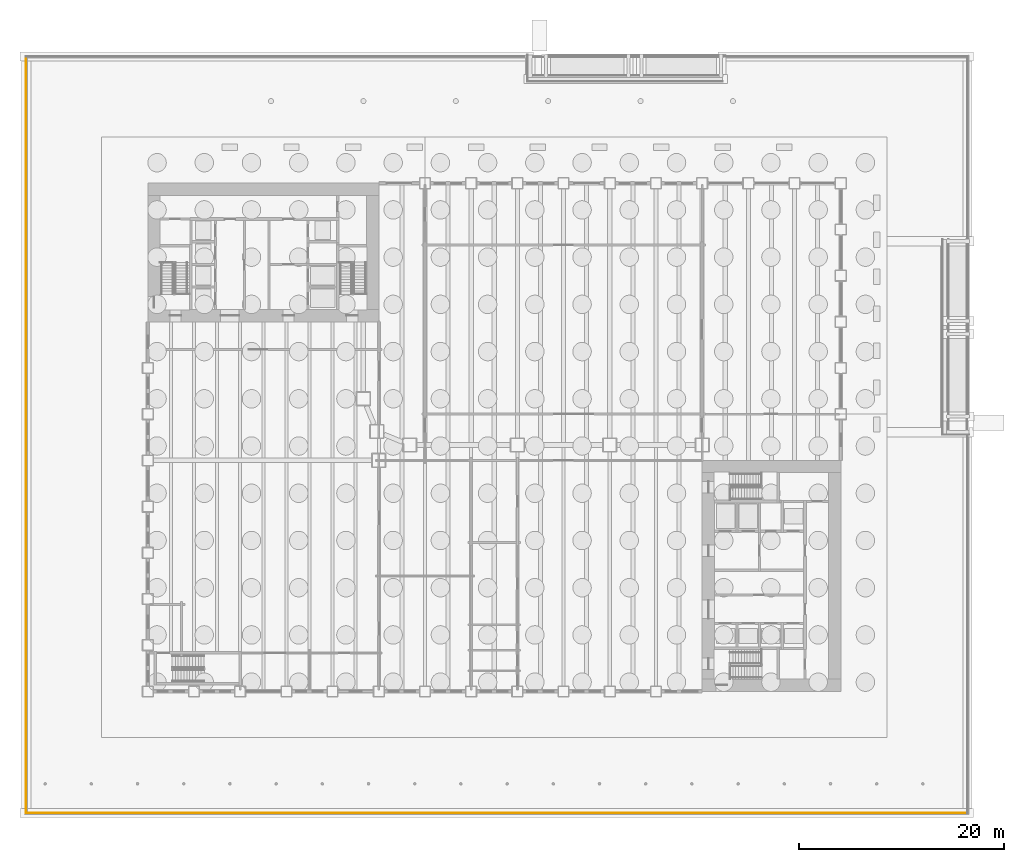
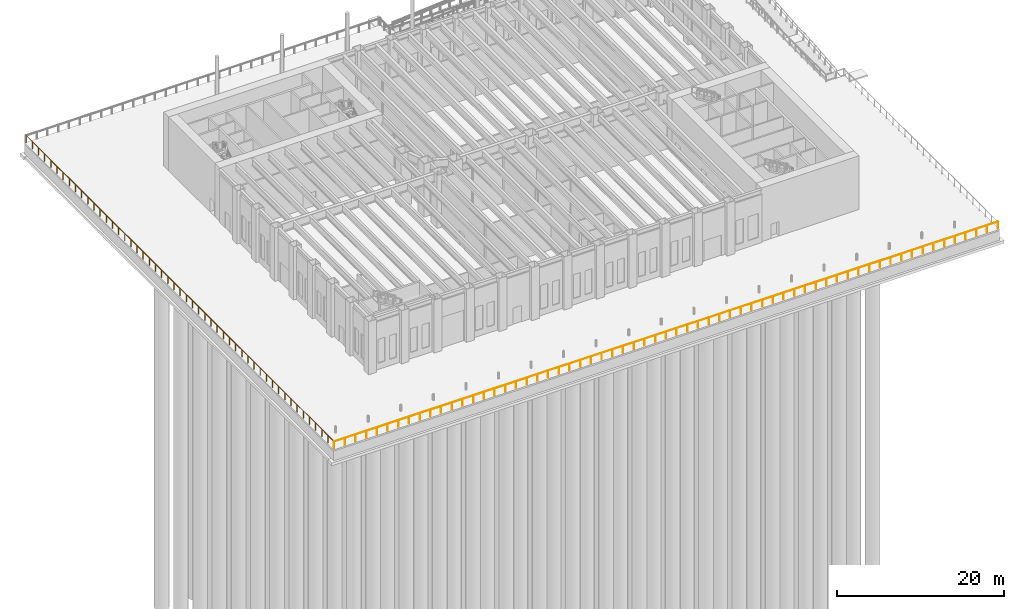
# One storey, part 18 of 26: 2 railings.
"""IFC4 building model written with IfcOpenShell, lengths in metres."""

import ifcopenshell
import ifcopenshell.guid

model = None  # the IFC model being written
_history = None  # IfcOwnerHistory: only IFC2X3 demands one
_inside = {}  # id of a spatial element -> (the spatial element, [elements in it])
_under = {}  # id of a project, library or spatial element -> (it, [spatial elements below it])
_declared = {}  # id of a project -> (the project, [libraries it declares])
_typed = {}  # id of a type object -> (the type object, [elements of that type])
_made_of = {}  # id of a material, layer set ... -> (it, [elements and type objects made of it])


def new_model(schema):
    """Start an empty IFC model of exactly this schema.

    Asked for "IFC4X3", IfcOpenShell would pick the latest addendum, in which some entities
    have other attributes; the version numbers below select the first issue.
    IFC2X3 requires an IfcOwnerHistory on every rooted entity: one is made here for all.
    """
    global model, _history
    if schema == "IFC4X3":
        model = ifcopenshell.file(schema_version=(4, 3, 0, 0))
    else:
        model = ifcopenshell.file(schema=schema)
    _inside.clear()
    _under.clear()
    _declared.clear()
    _typed.clear()
    _made_of.clear()
    _history = None
    if model.schema == "IFC2X3":
        org = make("IfcOrganization", Name="unknown")
        user = make(
            "IfcPersonAndOrganization",
            ThePerson=make("IfcPerson", FamilyName="unknown"),
            TheOrganization=org,
        )
        app = make(
            "IfcApplication",
            ApplicationDeveloper=org,
            Version="unknown",
            ApplicationFullName="unknown",
            ApplicationIdentifier="unknown",
        )
        _history = make(
            "IfcOwnerHistory",
            OwningUser=user,
            OwningApplication=app,
            ChangeAction="ADDED",
            CreationDate=0,
        )
    return model


def make(cls, **values):
    """One entity of the class cls with the attributes given. An attribute that is None is left unset."""
    return model.create_entity(
        cls, **{name: value for name, value in values.items() if value is not None}
    )


def rooted(cls, **values):
    """An entity with a GlobalId (a new one), such as an element, a storey or a relation."""
    return make(cls, GlobalId=ifcopenshell.guid.new(), OwnerHistory=_history, **values)


def si_unit(unit_type, name, prefix=None):
    """IfcSIUnit, for example si_unit("LENGTHUNIT", "METRE", prefix="MILLI")."""
    return make("IfcSIUnit", UnitType=unit_type, Prefix=prefix, Name=name)


def assignment(units):
    """IfcUnitAssignment: the units of a project."""
    return None if units is None else make("IfcUnitAssignment", Units=units)


def point(xyz):
    """IfcCartesianPoint."""
    return None if xyz is None else make("IfcCartesianPoint", Coordinates=xyz)


def direction(xyz):
    """IfcDirection."""
    return None if xyz is None else make("IfcDirection", DirectionRatios=xyz)


def frame(location, z_axis=None, x_axis=None):
    """IfcAxis2Placement3D, a coordinate frame: its origin and axes. An axis left out is left unset."""
    return make(
        "IfcAxis2Placement3D",
        Location=point(location),
        Axis=direction(z_axis),
        RefDirection=direction(x_axis),
    )


def frame_2d(location, x_axis=None):
    """IfcAxis2Placement2D, a coordinate frame in the plane: its origin and x axis."""
    return make(
        "IfcAxis2Placement2D", Location=point(location), RefDirection=direction(x_axis)
    )


def origin():
    """The frame at (0, 0, 0) with its axes left unset."""
    return frame((0.0, 0.0, 0.0))


def origin_2d():
    """The frame at (0, 0) in the plane with its x axis left unset."""
    return frame_2d((0.0, 0.0))


def place(relative_to, where):
    """IfcLocalPlacement: puts the frame where relative to a parent placement (None: the world)."""
    return make(
        "IfcLocalPlacement", PlacementRelTo=relative_to, RelativePlacement=where
    )


def context(
    kind, dimensions, precision=None, world=None, true_north=None, identifier=None
):
    """IfcGeometricRepresentationContext, for example the 3D "Model" context."""
    return make(
        "IfcGeometricRepresentationContext",
        ContextIdentifier=identifier,
        ContextType=kind,
        CoordinateSpaceDimension=dimensions,
        Precision=precision,
        WorldCoordinateSystem=world,
        TrueNorth=true_north,
    )


def subcontext(parent, identifier, kind, view, scale=None):
    """IfcGeometricRepresentationSubContext, for example "Body" below "Model"."""
    return make(
        "IfcGeometricRepresentationSubContext",
        ContextIdentifier=identifier,
        ContextType=kind,
        ParentContext=parent,
        TargetScale=scale,
        TargetView=view,
    )


def project(units=None, contexts=None):
    """IfcProject with its units and contexts."""
    return rooted(
        "IfcProject",
        Name="project",
        RepresentationContexts=contexts,
        UnitsInContext=assignment(units),
    )


def spatial(cls, under=None, at=None, **own):
    """A site, building, storey or space (cls), placed at a placement, below another one or the project."""
    s = rooted(cls, ObjectPlacement=at, **own)
    if under is not None:
        _under.setdefault(under.id(), (under, []))[1].append(s)
    return s


def profile(cls, at=None, kind="AREA", **sizes):
    """A parametric profile (cls). Its sizes go by their IFC names, for example OverallWidth=200.0."""
    return make(cls, ProfileType=kind, Position=at, **sizes)


def rectangle(**sizes):
    """IfcRectangleProfileDef."""
    return profile("IfcRectangleProfileDef", **sizes)


def extrude(swept, where, along, depth):
    """IfcExtrudedAreaSolid: the profile swept, set in the frame where, extruded along a direction by depth."""
    return make(
        "IfcExtrudedAreaSolid",
        SweptArea=swept,
        Position=where,
        ExtrudedDirection=direction(along),
        Depth=depth,
    )


def shape(context_of_items, identifier, shape_type, items):
    """IfcShapeRepresentation: the items that make up one representation, for example the "Body"."""
    return make(
        "IfcShapeRepresentation",
        ContextOfItems=context_of_items,
        RepresentationIdentifier=identifier,
        RepresentationType=shape_type,
        Items=items,
    )


def material(Name=None, Category=None):
    """IfcMaterial."""
    return make("IfcMaterial", Name=Name, Category=Category)


def made_of(thing, what):
    """Note that an element or type object is made of a material, layer set ...; save() writes the relation."""
    if what is not None:
        _made_of.setdefault(what.id(), (what, []))[1].append(thing)
    return thing


def type_object(cls, material=None, **own):
    """A type object (cls), such as IfcWallType, which elements share."""
    return made_of(rooted(cls, **own), material)


def element(
    cls,
    number,
    at=None,
    inside=None,
    cuts=None,
    type_object=None,
    material=None,
    context=None,
    identifier="Body",
    shape_type=None,
    held_by="IfcProductDefinitionShape",
    body=None,
    shapes=None,
    **own,
):
    """One element of the class cls, such as IfcWall. Its Tag is "e" and its number.

    at: its placement. inside: the storey or other place that contains it. cuts: it is an
    opening in that element (IfcRelVoidsElement). A single representation is given by context,
    identifier, shape_type and body (its items); several are given by shapes. held_by: the class
    of the entity that holds the representations. save() writes the other relations.
    """
    e = rooted(cls, Tag="e%d" % number, ObjectPlacement=at, **own)
    if body is not None:
        shapes = [shape(context, identifier, shape_type, body)]
    if shapes is not None:
        e.Representation = make(held_by, Representations=shapes)
    if inside is not None:
        _inside.setdefault(inside.id(), (inside, []))[1].append(e)
    if cuts is not None:
        rooted(
            "IfcRelVoidsElement", RelatingBuildingElement=cuts, RelatedOpeningElement=e
        )
    if type_object is not None:
        _typed.setdefault(type_object.id(), (type_object, []))[1].append(e)
    return made_of(e, material)


def aggregate(whole, parts):
    """IfcRelAggregates: a whole, such as a stair, and the parts it consists of."""
    return rooted("IfcRelAggregates", RelatingObject=whole, RelatedObjects=parts)


def save(model, path):
    """Write the relations noted so far, then the file.

    IfcRelAggregates (storeys below a building ...), IfcRelContainedInSpatialStructure (elements
    in a storey), IfcRelDefinesByType, IfcRelAssociatesMaterial and IfcRelDeclares: one each for
    every whole, place, type object, material and project.
    """
    for whole, parts in _under.values():
        aggregate(whole, parts)
    for where, things in _inside.values():
        rooted(
            "IfcRelContainedInSpatialStructure",
            RelatedElements=things,
            RelatingStructure=where,
        )
    for kind, things in _typed.values():
        rooted("IfcRelDefinesByType", RelatedObjects=things, RelatingType=kind)
    for what, things in _made_of.values():
        rooted("IfcRelAssociatesMaterial", RelatedObjects=things, RelatingMaterial=what)
    for by, libraries in _declared.values():
        rooted("IfcRelDeclares", RelatingContext=by, RelatedDefinitions=libraries)
    model.write(path)


model = new_model("IFC4")

# Units and contexts
model_context = context("Model", 3, precision=1e-05, world=origin(), true_north=direction((0.0, 1.0)))
body_context = subcontext(model_context, "Body", "Model", "MODEL_VIEW")
ifc_project = project(units=[si_unit("LENGTHUNIT", "METRE"), si_unit("AREAUNIT", "SQUARE_METRE"), si_unit("VOLUMEUNIT", "CUBIC_METRE"), si_unit("PLANEANGLEUNIT", "RADIAN"), si_unit("MASSUNIT", "GRAM", prefix="KILO")], contexts=[model_context])

# Site, building, storey
site_placement = place(None, origin())
site = spatial("IfcSite", under=ifc_project, at=site_placement, CompositionType="ELEMENT")
building_placement = place(site_placement, origin())
building = spatial("IfcBuilding", under=site, at=building_placement, Name="Sennacour Bend Tower", CompositionType="ELEMENT")
storey_placement = place(building_placement, origin())
storey = spatial("IfcBuildingStorey", under=building, at=storey_placement, Name="L00", CompositionType="ELEMENT", Elevation=0.0)

# Railings
ifc_material = material(Name="Stainless steel 316", Category="steel")
railing_type = type_object("IfcRailingType", Name="PLAZA EDGE GUARD 1100", PredefinedType="GUARDRAIL", material=ifc_material)
railing_1_placement = place(storey_placement, frame((-11.85009765625, -11.85009765625, 0.0)))
element("IfcRailing", 1, at=railing_1_placement, inside=storey, type_object=railing_type, Name="Plaza edge guard south", PredefinedType="GUARDRAIL", context=body_context, shape_type="SweptSolid", body=[
    extrude(rectangle(XDim=0.048095703125, YDim=0.048095703125, at=origin_2d()), frame((0.0, 0.0, 1.076171875), z_axis=(1.0, 0.0, 0.0), x_axis=(0.0, 1.0, 0.0)), (0.0, 0.0, 1.0), 91.7001953125),
    extrude(rectangle(XDim=0.0419921875, YDim=0.0419921875, at=origin_2d()), origin(), (0.0, 0.0, 1.0), 1.052001953125),
    extrude(rectangle(XDim=0.0419921875, YDim=0.0419921875, at=origin_2d()), frame((1.47900390625, 0.0, 0.0)), (0.0, 0.0, 1.0), 1.052001953125),
    extrude(rectangle(XDim=0.0419921875, YDim=0.0419921875, at=origin_2d()), frame((2.9580078125, 0.0, 0.0)), (0.0, 0.0, 1.0), 1.052001953125),
    extrude(rectangle(XDim=0.0419921875, YDim=0.0419921875, at=origin_2d()), frame((4.43701171875, 0.0, 0.0)), (0.0, 0.0, 1.0), 1.052001953125),
    extrude(rectangle(XDim=0.0419921875, YDim=0.0419921875, at=origin_2d()), frame((5.916259765625, 0.0, 0.0)), (0.0, 0.0, 1.0), 1.052001953125),
    extrude(rectangle(XDim=0.0419921875, YDim=0.0419921875, at=origin_2d()), frame((7.395263671875, 0.0, 0.0)), (0.0, 0.0, 1.0), 1.052001953125),
    extrude(rectangle(XDim=0.0419921875, YDim=0.0419921875, at=origin_2d()), frame((8.874267578125, 0.0, 0.0)), (0.0, 0.0, 1.0), 1.052001953125),
    extrude(rectangle(XDim=0.0419921875, YDim=0.0419921875, at=origin_2d()), frame((10.353271484375, 0.0, 0.0)), (0.0, 0.0, 1.0), 1.052001953125),
    extrude(rectangle(XDim=0.0419921875, YDim=0.0419921875, at=origin_2d()), frame((11.832275390625, 0.0, 0.0)), (0.0, 0.0, 1.0), 1.052001953125),
    extrude(rectangle(XDim=0.0419921875, YDim=0.0419921875, at=origin_2d()), frame((13.311279296875, 0.0, 0.0)), (0.0, 0.0, 1.0), 1.052001953125),
    extrude(rectangle(XDim=0.0419921875, YDim=0.0419921875, at=origin_2d()), frame((14.790283203125, 0.0, 0.0)), (0.0, 0.0, 1.0), 1.052001953125),
    extrude(rectangle(XDim=0.0419921875, YDim=0.0419921875, at=origin_2d()), frame((16.269287109375, 0.0, 0.0)), (0.0, 0.0, 1.0), 1.052001953125),
    extrude(rectangle(XDim=0.0419921875, YDim=0.0419921875, at=origin_2d()), frame((17.74853515625, 0.0, 0.0)), (0.0, 0.0, 1.0), 1.052001953125),
    extrude(rectangle(XDim=0.0419921875, YDim=0.0419921875, at=origin_2d()), frame((19.2275390625, 0.0, 0.0)), (0.0, 0.0, 1.0), 1.052001953125),
    extrude(rectangle(XDim=0.0419921875, YDim=0.0419921875, at=origin_2d()), frame((20.70654296875, 0.0, 0.0)), (0.0, 0.0, 1.0), 1.052001953125),
    extrude(rectangle(XDim=0.0419921875, YDim=0.0419921875, at=origin_2d()), frame((22.185546875, 0.0, 0.0)), (0.0, 0.0, 1.0), 1.052001953125),
    extrude(rectangle(XDim=0.0419921875, YDim=0.0419921875, at=origin_2d()), frame((23.66455078125, 0.0, 0.0)), (0.0, 0.0, 1.0), 1.052001953125),
    extrude(rectangle(XDim=0.0419921875, YDim=0.0419921875, at=origin_2d()), frame((25.1435546875, 0.0, 0.0)), (0.0, 0.0, 1.0), 1.052001953125),
    extrude(rectangle(XDim=0.0419921875, YDim=0.0419921875, at=origin_2d()), frame((26.62255859375, 0.0, 0.0)), (0.0, 0.0, 1.0), 1.052001953125),
    extrude(rectangle(XDim=0.0419921875, YDim=0.0419921875, at=origin_2d()), frame((28.1015625, 0.0, 0.0)), (0.0, 0.0, 1.0), 1.052001953125),
    extrude(rectangle(XDim=0.0419921875, YDim=0.0419921875, at=origin_2d()), frame((29.580810546875, 0.0, 0.0)), (0.0, 0.0, 1.0), 1.052001953125),
    extrude(rectangle(XDim=0.0419921875, YDim=0.0419921875, at=origin_2d()), frame((31.059814453125, 0.0, 0.0)), (0.0, 0.0, 1.0), 1.052001953125),
    extrude(rectangle(XDim=0.0419921875, YDim=0.0419921875, at=origin_2d()), frame((32.538818359375, 0.0, 0.0)), (0.0, 0.0, 1.0), 1.052001953125),
    extrude(rectangle(XDim=0.0419921875, YDim=0.0419921875, at=origin_2d()), frame((34.017822265625, 0.0, 0.0)), (0.0, 0.0, 1.0), 1.052001953125),
    extrude(rectangle(XDim=0.0419921875, YDim=0.0419921875, at=origin_2d()), frame((35.496826171875, 0.0, 0.0)), (0.0, 0.0, 1.0), 1.052001953125),
    extrude(rectangle(XDim=0.0419921875, YDim=0.0419921875, at=origin_2d()), frame((36.975830078125, 0.0, 0.0)), (0.0, 0.0, 1.0), 1.052001953125),
    extrude(rectangle(XDim=0.0419921875, YDim=0.0419921875, at=origin_2d()), frame((38.454833984375, 0.0, 0.0)), (0.0, 0.0, 1.0), 1.052001953125),
    extrude(rectangle(XDim=0.0419921875, YDim=0.0419921875, at=origin_2d()), frame((39.933837890625, 0.0, 0.0)), (0.0, 0.0, 1.0), 1.052001953125),
    extrude(rectangle(XDim=0.0419921875, YDim=0.0419921875, at=origin_2d()), frame((41.4130859375, 0.0, 0.0)), (0.0, 0.0, 1.0), 1.052001953125),
    extrude(rectangle(XDim=0.0419921875, YDim=0.0419921875, at=origin_2d()), frame((42.89208984375, 0.0, 0.0)), (0.0, 0.0, 1.0), 1.052001953125),
    extrude(rectangle(XDim=0.0419921875, YDim=0.0419921875, at=origin_2d()), frame((44.37109375, 0.0, 0.0)), (0.0, 0.0, 1.0), 1.052001953125),
    extrude(rectangle(XDim=0.0419921875, YDim=0.0419921875, at=origin_2d()), frame((45.85009765625, 0.0, 0.0)), (0.0, 0.0, 1.0), 1.052001953125),
    extrude(rectangle(XDim=0.0419921875, YDim=0.0419921875, at=origin_2d()), frame((47.3291015625, 0.0, 0.0)), (0.0, 0.0, 1.0), 1.052001953125),
    extrude(rectangle(XDim=0.0419921875, YDim=0.0419921875, at=origin_2d()), frame((48.80810546875, 0.0, 0.0)), (0.0, 0.0, 1.0), 1.052001953125),
    extrude(rectangle(XDim=0.0419921875, YDim=0.0419921875, at=origin_2d()), frame((50.287109375, 0.0, 0.0)), (0.0, 0.0, 1.0), 1.052001953125),
    extrude(rectangle(XDim=0.0419921875, YDim=0.0419921875, at=origin_2d()), frame((51.766357421875, 0.0, 0.0)), (0.0, 0.0, 1.0), 1.052001953125),
    extrude(rectangle(XDim=0.0419921875, YDim=0.0419921875, at=origin_2d()), frame((53.245361328125, 0.0, 0.0)), (0.0, 0.0, 1.0), 1.052001953125),
    extrude(rectangle(XDim=0.0419921875, YDim=0.0419921875, at=origin_2d()), frame((54.724365234375, 0.0, 0.0)), (0.0, 0.0, 1.0), 1.052001953125),
    extrude(rectangle(XDim=0.0419921875, YDim=0.0419921875, at=origin_2d()), frame((56.203369140625, 0.0, 0.0)), (0.0, 0.0, 1.0), 1.052001953125),
    extrude(rectangle(XDim=0.0419921875, YDim=0.0419921875, at=origin_2d()), frame((57.682373046875, 0.0, 0.0)), (0.0, 0.0, 1.0), 1.052001953125),
    extrude(rectangle(XDim=0.0419921875, YDim=0.0419921875, at=origin_2d()), frame((59.161376953125, 0.0, 0.0)), (0.0, 0.0, 1.0), 1.052001953125),
    extrude(rectangle(XDim=0.0419921875, YDim=0.0419921875, at=origin_2d()), frame((60.640380859375, 0.0, 0.0)), (0.0, 0.0, 1.0), 1.052001953125),
    extrude(rectangle(XDim=0.0419921875, YDim=0.0419921875, at=origin_2d()), frame((62.119384765625, 0.0, 0.0)), (0.0, 0.0, 1.0), 1.052001953125),
    extrude(rectangle(XDim=0.0419921875, YDim=0.0419921875, at=origin_2d()), frame((63.5986328125, 0.0, 0.0)), (0.0, 0.0, 1.0), 1.052001953125),
    extrude(rectangle(XDim=0.0419921875, YDim=0.0419921875, at=origin_2d()), frame((65.07763671875, 0.0, 0.0)), (0.0, 0.0, 1.0), 1.052001953125),
    extrude(rectangle(XDim=0.0419921875, YDim=0.0419921875, at=origin_2d()), frame((66.556640625, 0.0, 0.0)), (0.0, 0.0, 1.0), 1.052001953125),
    extrude(rectangle(XDim=0.0419921875, YDim=0.0419921875, at=origin_2d()), frame((68.03564453125, 0.0, 0.0)), (0.0, 0.0, 1.0), 1.052001953125),
    extrude(rectangle(XDim=0.0419921875, YDim=0.0419921875, at=origin_2d()), frame((69.5146484375, 0.0, 0.0)), (0.0, 0.0, 1.0), 1.052001953125),
    extrude(rectangle(XDim=0.0419921875, YDim=0.0419921875, at=origin_2d()), frame((70.99365234375, 0.0, 0.0)), (0.0, 0.0, 1.0), 1.052001953125),
    extrude(rectangle(XDim=0.0419921875, YDim=0.0419921875, at=origin_2d()), frame((72.47265625, 0.0, 0.0)), (0.0, 0.0, 1.0), 1.052001953125),
    extrude(rectangle(XDim=0.0419921875, YDim=0.0419921875, at=origin_2d()), frame((73.95166015625, 0.0, 0.0)), (0.0, 0.0, 1.0), 1.052001953125),
    extrude(rectangle(XDim=0.0419921875, YDim=0.0419921875, at=origin_2d()), frame((75.430908203125, 0.0, 0.0)), (0.0, 0.0, 1.0), 1.052001953125),
    extrude(rectangle(XDim=0.0419921875, YDim=0.0419921875, at=origin_2d()), frame((76.909912109375, 0.0, 0.0)), (0.0, 0.0, 1.0), 1.052001953125),
    extrude(rectangle(XDim=0.0419921875, YDim=0.0419921875, at=origin_2d()), frame((78.388916015625, 0.0, 0.0)), (0.0, 0.0, 1.0), 1.052001953125),
    extrude(rectangle(XDim=0.0419921875, YDim=0.0419921875, at=origin_2d()), frame((79.867919921875, 0.0, 0.0)), (0.0, 0.0, 1.0), 1.052001953125),
    extrude(rectangle(XDim=0.0419921875, YDim=0.0419921875, at=origin_2d()), frame((81.346923828125, 0.0, 0.0)), (0.0, 0.0, 1.0), 1.052001953125),
    extrude(rectangle(XDim=0.0419921875, YDim=0.0419921875, at=origin_2d()), frame((82.825927734375, 0.0, 0.0)), (0.0, 0.0, 1.0), 1.052001953125),
    extrude(rectangle(XDim=0.0419921875, YDim=0.0419921875, at=origin_2d()), frame((84.304931640625, 0.0, 0.0)), (0.0, 0.0, 1.0), 1.052001953125),
    extrude(rectangle(XDim=0.0419921875, YDim=0.0419921875, at=origin_2d()), frame((85.783935546875, 0.0, 0.0)), (0.0, 0.0, 1.0), 1.052001953125),
    extrude(rectangle(XDim=0.0419921875, YDim=0.0419921875, at=origin_2d()), frame((87.26318359375, 0.0, 0.0)), (0.0, 0.0, 1.0), 1.052001953125),
    extrude(rectangle(XDim=0.0419921875, YDim=0.0419921875, at=origin_2d()), frame((88.7421875, 0.0, 0.0)), (0.0, 0.0, 1.0), 1.052001953125),
    extrude(rectangle(XDim=0.0419921875, YDim=0.0419921875, at=origin_2d()), frame((90.22119140625, 0.0, 0.0)), (0.0, 0.0, 1.0), 1.052001953125),
    extrude(rectangle(XDim=0.0419921875, YDim=0.0419921875, at=origin_2d()), frame((91.7001953125, 0.0, 0.0)), (0.0, 0.0, 1.0), 1.052001953125),
])
railing_2_placement = place(storey_placement, frame((-11.85009765625, -11.85009765625, 0.0)))
element("IfcRailing", 2, at=railing_2_placement, inside=storey, type_object=railing_type, Name="Plaza edge guard west", PredefinedType="GUARDRAIL", context=body_context, shape_type="SweptSolid", body=[
    extrude(rectangle(XDim=0.048095703125, YDim=0.048095703125, at=origin_2d()), frame((0.0, 0.0, 1.076171875), z_axis=(0.0, 1.0, 0.0), x_axis=(-1.0, 0.0, 0.0)), (0.0, 0.0, 1.0), 73.7001953125),
    extrude(rectangle(XDim=0.0419921875, YDim=0.0419921875, at=origin_2d()), origin(), (0.0, 0.0, 1.0), 1.052001953125),
    extrude(rectangle(XDim=0.0419921875, YDim=0.0419921875, at=origin_2d()), frame((0.0, 1.47412109375, 0.0)), (0.0, 0.0, 1.0), 1.052001953125),
    extrude(rectangle(XDim=0.0419921875, YDim=0.0419921875, at=origin_2d()), frame((0.0, 2.947998046875, 0.0)), (0.0, 0.0, 1.0), 1.052001953125),
    extrude(rectangle(XDim=0.0419921875, YDim=0.0419921875, at=origin_2d()), frame((0.0, 4.422119140625, 0.0)), (0.0, 0.0, 1.0), 1.052001953125),
    extrude(rectangle(XDim=0.0419921875, YDim=0.0419921875, at=origin_2d()), frame((0.0, 5.89599609375, 0.0)), (0.0, 0.0, 1.0), 1.052001953125),
    extrude(rectangle(XDim=0.0419921875, YDim=0.0419921875, at=origin_2d()), frame((0.0, 7.3701171875, 0.0)), (0.0, 0.0, 1.0), 1.052001953125),
    extrude(rectangle(XDim=0.0419921875, YDim=0.0419921875, at=origin_2d()), frame((0.0, 8.843994140625, 0.0)), (0.0, 0.0, 1.0), 1.052001953125),
    extrude(rectangle(XDim=0.0419921875, YDim=0.0419921875, at=origin_2d()), frame((0.0, 10.318115234375, 0.0)), (0.0, 0.0, 1.0), 1.052001953125),
    extrude(rectangle(XDim=0.0419921875, YDim=0.0419921875, at=origin_2d()), frame((0.0, 11.7919921875, 0.0)), (0.0, 0.0, 1.0), 1.052001953125),
    extrude(rectangle(XDim=0.0419921875, YDim=0.0419921875, at=origin_2d()), frame((0.0, 13.26611328125, 0.0)), (0.0, 0.0, 1.0), 1.052001953125),
    extrude(rectangle(XDim=0.0419921875, YDim=0.0419921875, at=origin_2d()), frame((0.0, 14.739990234375, 0.0)), (0.0, 0.0, 1.0), 1.052001953125),
    extrude(rectangle(XDim=0.0419921875, YDim=0.0419921875, at=origin_2d()), frame((0.0, 16.214111328125, 0.0)), (0.0, 0.0, 1.0), 1.052001953125),
    extrude(rectangle(XDim=0.0419921875, YDim=0.0419921875, at=origin_2d()), frame((0.0, 17.68798828125, 0.0)), (0.0, 0.0, 1.0), 1.052001953125),
    extrude(rectangle(XDim=0.0419921875, YDim=0.0419921875, at=origin_2d()), frame((0.0, 19.162109375, 0.0)), (0.0, 0.0, 1.0), 1.052001953125),
    extrude(rectangle(XDim=0.0419921875, YDim=0.0419921875, at=origin_2d()), frame((0.0, 20.635986328125, 0.0)), (0.0, 0.0, 1.0), 1.052001953125),
    extrude(rectangle(XDim=0.0419921875, YDim=0.0419921875, at=origin_2d()), frame((0.0, 22.110107421875, 0.0)), (0.0, 0.0, 1.0), 1.052001953125),
    extrude(rectangle(XDim=0.0419921875, YDim=0.0419921875, at=origin_2d()), frame((0.0, 23.583984375, 0.0)), (0.0, 0.0, 1.0), 1.052001953125),
    extrude(rectangle(XDim=0.0419921875, YDim=0.0419921875, at=origin_2d()), frame((0.0, 25.05810546875, 0.0)), (0.0, 0.0, 1.0), 1.052001953125),
    extrude(rectangle(XDim=0.0419921875, YDim=0.0419921875, at=origin_2d()), frame((0.0, 26.531982421875, 0.0)), (0.0, 0.0, 1.0), 1.052001953125),
    extrude(rectangle(XDim=0.0419921875, YDim=0.0419921875, at=origin_2d()), frame((0.0, 28.006103515625, 0.0)), (0.0, 0.0, 1.0), 1.052001953125),
    extrude(rectangle(XDim=0.0419921875, YDim=0.0419921875, at=origin_2d()), frame((0.0, 29.47998046875, 0.0)), (0.0, 0.0, 1.0), 1.052001953125),
    extrude(rectangle(XDim=0.0419921875, YDim=0.0419921875, at=origin_2d()), frame((0.0, 30.9541015625, 0.0)), (0.0, 0.0, 1.0), 1.052001953125),
    extrude(rectangle(XDim=0.0419921875, YDim=0.0419921875, at=origin_2d()), frame((0.0, 32.427978515625, 0.0)), (0.0, 0.0, 1.0), 1.052001953125),
    extrude(rectangle(XDim=0.0419921875, YDim=0.0419921875, at=origin_2d()), frame((0.0, 33.902099609375, 0.0)), (0.0, 0.0, 1.0), 1.052001953125),
    extrude(rectangle(XDim=0.0419921875, YDim=0.0419921875, at=origin_2d()), frame((0.0, 35.3759765625, 0.0)), (0.0, 0.0, 1.0), 1.052001953125),
    extrude(rectangle(XDim=0.0419921875, YDim=0.0419921875, at=origin_2d()), frame((0.0, 36.85009765625, 0.0)), (0.0, 0.0, 1.0), 1.052001953125),
    extrude(rectangle(XDim=0.0419921875, YDim=0.0419921875, at=origin_2d()), frame((0.0, 38.32421875, 0.0)), (0.0, 0.0, 1.0), 1.052001953125),
    extrude(rectangle(XDim=0.0419921875, YDim=0.0419921875, at=origin_2d()), frame((0.0, 39.798095703125, 0.0)), (0.0, 0.0, 1.0), 1.052001953125),
    extrude(rectangle(XDim=0.0419921875, YDim=0.0419921875, at=origin_2d()), frame((0.0, 41.272216796875, 0.0)), (0.0, 0.0, 1.0), 1.052001953125),
    extrude(rectangle(XDim=0.0419921875, YDim=0.0419921875, at=origin_2d()), frame((0.0, 42.74609375, 0.0)), (0.0, 0.0, 1.0), 1.052001953125),
    extrude(rectangle(XDim=0.0419921875, YDim=0.0419921875, at=origin_2d()), frame((0.0, 44.22021484375, 0.0)), (0.0, 0.0, 1.0), 1.052001953125),
    extrude(rectangle(XDim=0.0419921875, YDim=0.0419921875, at=origin_2d()), frame((0.0, 45.694091796875, 0.0)), (0.0, 0.0, 1.0), 1.052001953125),
    extrude(rectangle(XDim=0.0419921875, YDim=0.0419921875, at=origin_2d()), frame((0.0, 47.168212890625, 0.0)), (0.0, 0.0, 1.0), 1.052001953125),
    extrude(rectangle(XDim=0.0419921875, YDim=0.0419921875, at=origin_2d()), frame((0.0, 48.64208984375, 0.0)), (0.0, 0.0, 1.0), 1.052001953125),
    extrude(rectangle(XDim=0.0419921875, YDim=0.0419921875, at=origin_2d()), frame((0.0, 50.1162109375, 0.0)), (0.0, 0.0, 1.0), 1.052001953125),
    extrude(rectangle(XDim=0.0419921875, YDim=0.0419921875, at=origin_2d()), frame((0.0, 51.590087890625, 0.0)), (0.0, 0.0, 1.0), 1.052001953125),
    extrude(rectangle(XDim=0.0419921875, YDim=0.0419921875, at=origin_2d()), frame((0.0, 53.064208984375, 0.0)), (0.0, 0.0, 1.0), 1.052001953125),
    extrude(rectangle(XDim=0.0419921875, YDim=0.0419921875, at=origin_2d()), frame((0.0, 54.5380859375, 0.0)), (0.0, 0.0, 1.0), 1.052001953125),
    extrude(rectangle(XDim=0.0419921875, YDim=0.0419921875, at=origin_2d()), frame((0.0, 56.01220703125, 0.0)), (0.0, 0.0, 1.0), 1.052001953125),
    extrude(rectangle(XDim=0.0419921875, YDim=0.0419921875, at=origin_2d()), frame((0.0, 57.486083984375, 0.0)), (0.0, 0.0, 1.0), 1.052001953125),
    extrude(rectangle(XDim=0.0419921875, YDim=0.0419921875, at=origin_2d()), frame((0.0, 58.960205078125, 0.0)), (0.0, 0.0, 1.0), 1.052001953125),
    extrude(rectangle(XDim=0.0419921875, YDim=0.0419921875, at=origin_2d()), frame((0.0, 60.43408203125, 0.0)), (0.0, 0.0, 1.0), 1.052001953125),
    extrude(rectangle(XDim=0.0419921875, YDim=0.0419921875, at=origin_2d()), frame((0.0, 61.908203125, 0.0)), (0.0, 0.0, 1.0), 1.052001953125),
    extrude(rectangle(XDim=0.0419921875, YDim=0.0419921875, at=origin_2d()), frame((0.0, 63.382080078125, 0.0)), (0.0, 0.0, 1.0), 1.052001953125),
    extrude(rectangle(XDim=0.0419921875, YDim=0.0419921875, at=origin_2d()), frame((0.0, 64.856201171875, 0.0)), (0.0, 0.0, 1.0), 1.052001953125),
    extrude(rectangle(XDim=0.0419921875, YDim=0.0419921875, at=origin_2d()), frame((0.0, 66.330078125, 0.0)), (0.0, 0.0, 1.0), 1.052001953125),
    extrude(rectangle(XDim=0.0419921875, YDim=0.0419921875, at=origin_2d()), frame((0.0, 67.80419921875, 0.0)), (0.0, 0.0, 1.0), 1.052001953125),
    extrude(rectangle(XDim=0.0419921875, YDim=0.0419921875, at=origin_2d()), frame((0.0, 69.278076171875, 0.0)), (0.0, 0.0, 1.0), 1.052001953125),
    extrude(rectangle(XDim=0.0419921875, YDim=0.0419921875, at=origin_2d()), frame((0.0, 70.752197265625, 0.0)), (0.0, 0.0, 1.0), 1.052001953125),
    extrude(rectangle(XDim=0.0419921875, YDim=0.0419921875, at=origin_2d()), frame((0.0, 72.22607421875, 0.0)), (0.0, 0.0, 1.0), 1.052001953125),
    extrude(rectangle(XDim=0.0419921875, YDim=0.0419921875, at=origin_2d()), frame((0.0, 73.7001953125, 0.0)), (0.0, 0.0, 1.0), 1.052001953125),
])

save(model, "model.ifc")
